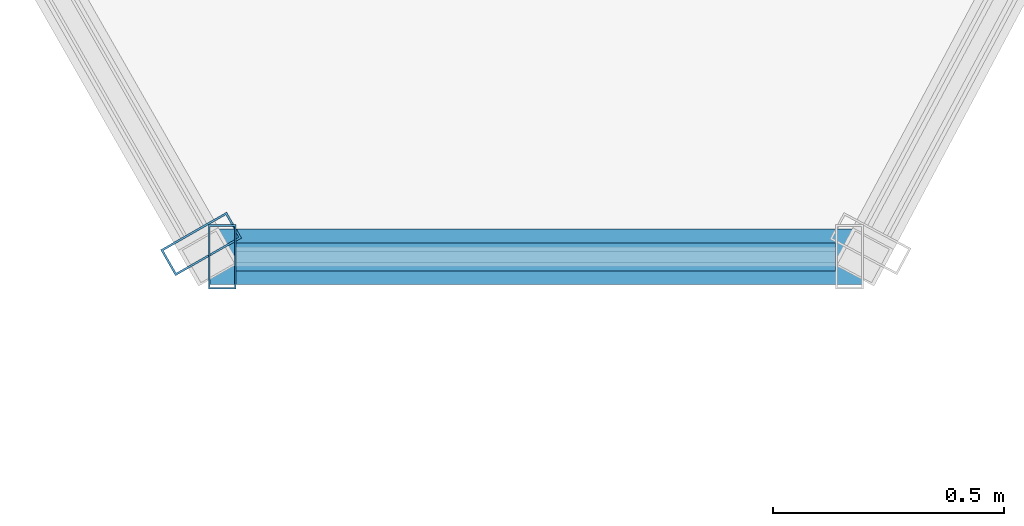
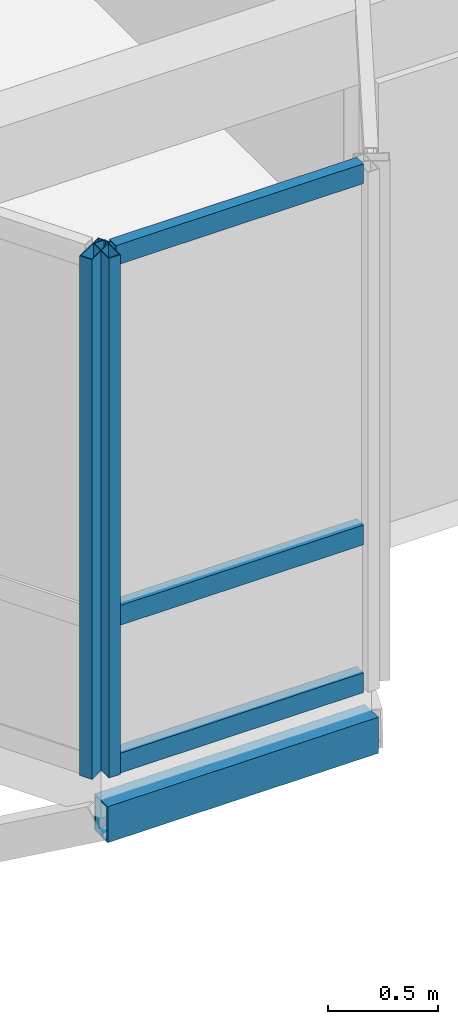
# One storey, part 28 of 75: 6 members, 2 elements without a shape of their own.
"""IFC4 building model written with IfcOpenShell, lengths in metres."""

from ifc_helpers import new_model, si_unit, direction, frame, origin, origin_2d, place, context, subcontext, project, spatial, hollow_rectangle, extrude, material, layer, layer_set, material_profile, profile_set, type_object, element, aggregate, save


model = new_model("IFC4")

# Units and contexts
model_context = context("Model", 3, precision=1e-05, world=origin(), true_north=direction((0.0, 1.0)))
body_context = subcontext(model_context, "Body", "Model", "MODEL_VIEW")
ifc_project = project(units=[si_unit("LENGTHUNIT", "METRE"), si_unit("AREAUNIT", "SQUARE_METRE"), si_unit("VOLUMEUNIT", "CUBIC_METRE"), si_unit("PLANEANGLEUNIT", "RADIAN"), si_unit("MASSUNIT", "GRAM", prefix="KILO"), si_unit("THERMODYNAMICTEMPERATUREUNIT", "KELVIN"), si_unit("POWERUNIT", "WATT")], contexts=[model_context])

# Site, building, storey
site_placement = place(None, origin())
site = spatial("IfcSite", under=ifc_project, at=site_placement, CompositionType="ELEMENT")
building_placement = place(site_placement, origin())
building = spatial("IfcBuilding", under=site, at=building_placement, Name="Tavuni Mirador Residences", CompositionType="ELEMENT")
storey_placement = place(building_placement, frame((0.0, 0.0, 20.25)))
storey = spatial("IfcBuildingStorey", under=building, at=storey_placement, Name="L06", CompositionType="ELEMENT", Elevation=20.25)

# Curtain wall, member
ifc_material_1 = material(Name="Anodised aluminium", Category="aluminium")
ifc_layer_1 = layer(ifc_material_1, 0.1650390625, Name="Anodised aluminium", Category="aluminium")
ifc_layer_set_1 = layer_set([ifc_layer_1], Name="Anodised aluminium")
curtain_wall_type_1 = type_object("IfcCurtainWallType", Name="CWT-MIR-A", PredefinedType="NOTDEFINED", material=ifc_layer_set_1)
curtain_wall_1_placement = place(storey_placement, origin())
curtain_wall_1 = element("IfcCurtainWall", 1, at=curtain_wall_1_placement, inside=storey, type_object=curtain_wall_type_1, Name="CW-MIR-C-S2-L06-MF", PredefinedType="NOTDEFINED")
ifc_material_profile_1 = material_profile(ifc_material_1, hollow_rectangle(XDim=0.06005859375, YDim=0.139892578125, WallThickness=0.00390625, at=origin_2d()), Name="ALU 60x140x4.0", Category="aluminium")
ifc_profile_set_1 = profile_set([ifc_material_profile_1], Name="Anodised aluminium")
member_type_1 = type_object("IfcMemberType", Name="CWM-140", PredefinedType="MULLION", material=ifc_profile_set_1)
member_1_placement = place(storey_placement, frame((33.389892578125, 142.800048828125, 0.0), z_axis=(0.0, 0.0, 1.0), x_axis=(1.0, 0.0, 0.0)))
member_1 = element("IfcMember", 2, at=member_1_placement, type_object=member_type_1, Name="CW-01 mullion 1", PredefinedType="MULLION", context=body_context, shape_type="SweptSolid", body=[
    extrude(hollow_rectangle(XDim=0.06005859375, YDim=0.139892578125, WallThickness=0.00390625, at=origin_2d()), origin(), (0.0, 0.0, 1.0), 2.885009765625),
])

ifc_layer_2 = layer(ifc_material_1, 0.159912109375, Name="Anodised aluminium", Category="aluminium")
ifc_layer_set_2 = layer_set([ifc_layer_2], Name="Anodised aluminium")
curtain_wall_type_2 = type_object("IfcCurtainWallType", Name="CWT-MIR-D", PredefinedType="NOTDEFINED", material=ifc_layer_set_2)
curtain_wall_2_placement = place(storey_placement, origin())
curtain_wall_2 = element("IfcCurtainWall", 3, at=curtain_wall_2_placement, inside=storey, type_object=curtain_wall_type_2, Name="CW-MIR-C-S2-L06-M1", PredefinedType="NOTDEFINED")
ifc_material_profile_2 = material_profile(ifc_material_1, hollow_rectangle(XDim=0.06494140625, YDim=0.1650390625, WallThickness=0.00439453125, at=origin_2d()), Name="ALU 65x165x4.5", Category="aluminium")
ifc_profile_set_2 = profile_set([ifc_material_profile_2], Name="Anodised aluminium")
member_type_2 = type_object("IfcMemberType", Name="CWM-165", PredefinedType="MULLION", material=ifc_profile_set_2)
member_2_placement = place(storey_placement, frame((33.343994140625, 142.828125, 0.0), z_axis=(0.0, 0.0, 1.0), x_axis=(0.495749192217, -0.868465738194, 0.0)))
member_2 = element("IfcMember", 4, at=member_2_placement, type_object=member_type_2, Name="CW-04 mullion 2", PredefinedType="MULLION", context=body_context, shape_type="SweptSolid", body=[
    extrude(hollow_rectangle(XDim=0.06494140625, YDim=0.1650390625, WallThickness=0.00439453125, at=origin_2d()), origin(), (0.0, 0.0, 1.0), 2.885009765625),
])
aggregate(curtain_wall_2, [member_2])

# Member
ifc_material_profile_3 = material_profile(ifc_material_1, hollow_rectangle(XDim=0.06005859375, YDim=0.110107421875, WallThickness=0.00390625, at=origin_2d()), Name="ALU 60x110x4.0", Category="aluminium")
ifc_profile_set_3 = profile_set([ifc_material_profile_3], Name="Anodised aluminium")
member_type_3 = type_object("IfcMemberType", Name="CWT-110", PredefinedType="USERDEFINED", material=ifc_profile_set_3)
member_3_placement = place(storey_placement, frame((33.419921875, 142.800048828125, 0.030029296875), z_axis=(1.0, 0.0, 0.0), x_axis=(0.0, 1.0, 0.0)))
member_3 = element("IfcMember", 5, at=member_3_placement, type_object=member_type_3, Name="CW-01 transom 1.1", ObjectType="TRANSOM", PredefinedType="USERDEFINED", context=body_context, shape_type="SweptSolid", body=[
    extrude(hollow_rectangle(XDim=0.06005859375, YDim=0.110107421875, WallThickness=0.00390625, at=origin_2d()), origin(), (0.0, 0.0, 1.0), 1.300048828125),
])

member_4_placement = place(storey_placement, frame((33.419921875, 142.800048828125, 0.85009765625), z_axis=(1.0, 0.0, 0.0), x_axis=(0.0, 1.0, 0.0)))
member_4 = element("IfcMember", 6, at=member_4_placement, type_object=member_type_3, Name="CW-01 transom 1.2", ObjectType="TRANSOM", PredefinedType="USERDEFINED", context=body_context, shape_type="SweptSolid", body=[
    extrude(hollow_rectangle(XDim=0.06005859375, YDim=0.110107421875, WallThickness=0.00390625, at=origin_2d()), origin(), (0.0, 0.0, 1.0), 1.300048828125),
])

member_5_placement = place(storey_placement, frame((33.419921875, 142.800048828125, 2.85498046875), z_axis=(1.0, 0.0, 0.0), x_axis=(0.0, 1.0, 0.0)))
member_5 = element("IfcMember", 7, at=member_5_placement, type_object=member_type_3, Name="CW-01 transom 1.3", ObjectType="TRANSOM", PredefinedType="USERDEFINED", context=body_context, shape_type="SweptSolid", body=[
    extrude(hollow_rectangle(XDim=0.06005859375, YDim=0.110107421875, WallThickness=0.00390625, at=origin_2d()), origin(), (0.0, 0.0, 1.0), 1.300048828125),
])

aggregate(curtain_wall_1, [member_1, member_3, member_4, member_5])

ifc_material_2 = material(Name="Structural steel S355", Category="steel")
ifc_material_profile_4 = material_profile(ifc_material_2, hollow_rectangle(XDim=0.1201171875, YDim=0.199951171875, WallThickness=0.010009765625, at=origin_2d()), Name="RHS 200x120x10.0", Category="steel")
ifc_profile_set_4 = profile_set([ifc_material_profile_4], Name="Structural steel S355")
member_type_4 = type_object("IfcMemberType", Name="MT-ST-RHS200", PredefinedType="STRUT", material=ifc_profile_set_4)
member_6_placement = place(storey_placement, frame((33.360107421875, 142.800048828125, -0.264892578125), z_axis=(1.0, 0.0, 0.0), x_axis=(0.0, 1.0, 0.0)))
element("IfcMember", 8, at=member_6_placement, inside=storey, type_object=member_type_4, Name="MRIM-MIR-C-S2-L06", PredefinedType="STRUT", context=body_context, shape_type="SweptSolid", body=[
    extrude(hollow_rectangle(XDim=0.1201171875, YDim=0.199951171875, WallThickness=0.010009765625, at=origin_2d()), origin(), (0.0, 0.0, 1.0), 1.419921875),
])

save(model, "model.ifc")
